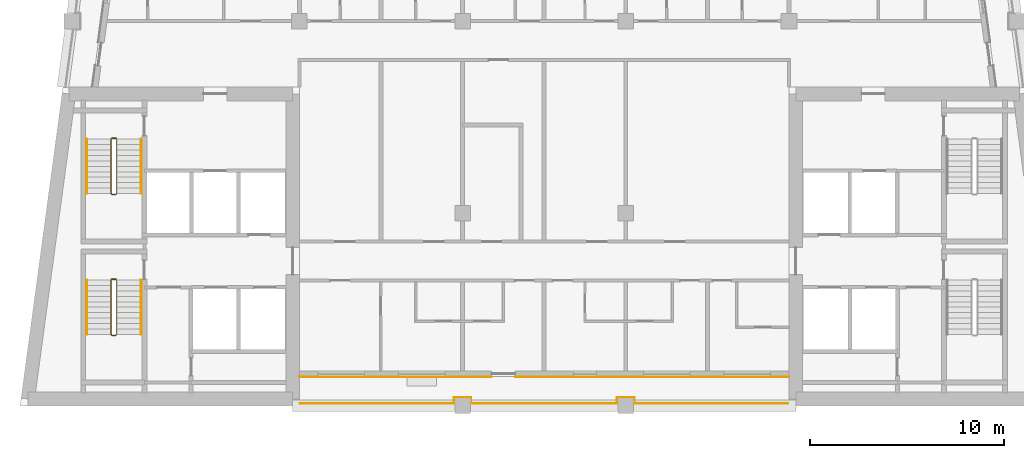
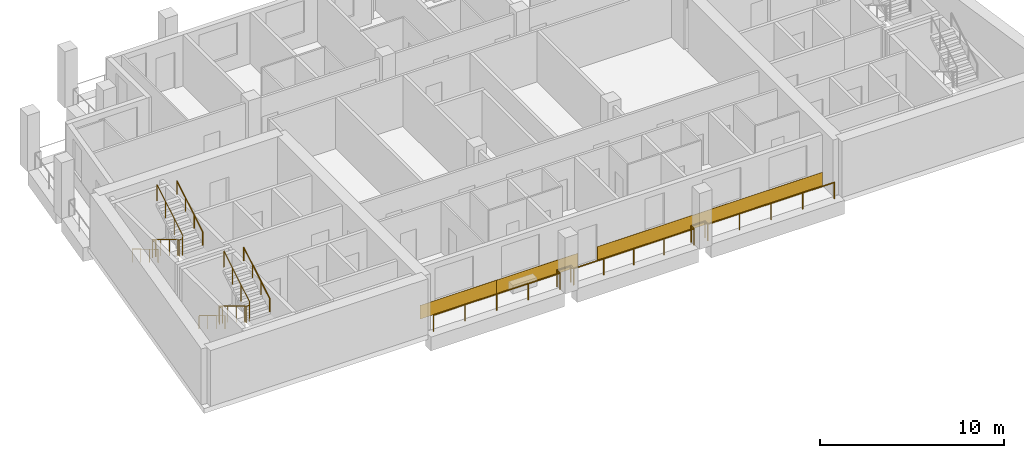
# One storey, part 7 of 10: 9 railings, 3 coverings.
"""IFC4 building model written with IfcOpenShell, lengths in metres."""

from ifc_helpers import new_model, si_unit, direction, frame, origin, origin_2d, place, context, subcontext, project, spatial, rectangle, circle, extrude, material, layer, layer_set, type_object, element, save


model = new_model("IFC4")

# Units and contexts
model_context = context("Model", 3, precision=1e-05, world=origin(), true_north=direction((0.0, 1.0)))
body_context = subcontext(model_context, "Body", "Model", "MODEL_VIEW")
ifc_project = project(units=[si_unit("LENGTHUNIT", "METRE"), si_unit("AREAUNIT", "SQUARE_METRE"), si_unit("VOLUMEUNIT", "CUBIC_METRE"), si_unit("PLANEANGLEUNIT", "RADIAN"), si_unit("MASSUNIT", "GRAM", prefix="KILO")], contexts=[model_context])

# Site, building, storey
site_placement = place(None, origin())
site = spatial("IfcSite", under=ifc_project, at=site_placement, CompositionType="ELEMENT")
building_placement = place(site_placement, origin())
building = spatial("IfcBuilding", under=site, at=building_placement, Name="Candeia Pilgrim Tower and Theatre", CompositionType="ELEMENT")
storey_placement = place(building_placement, frame((0.0, 0.0, 292.300048828125)))
storey = spatial("IfcBuildingStorey", under=building, at=storey_placement, Name="L71", CompositionType="ELEMENT", Elevation=292.300048828125)

# Railing
ifc_material_1 = material(Name="Stainless steel balustrade", Category="steel")
railing_type_1 = type_object("IfcRailingType", Name="G1 loggia guard 1100", PredefinedType="GUARDRAIL", material=ifc_material_1)
railing_1_placement = place(storey_placement, frame((125.949951171875, 116.1201171875, 0.0)))
element("IfcRailing", 1, at=railing_1_placement, inside=storey, type_object=railing_type_1, Name="Guard L71.3", PredefinedType="GUARDRAIL", context=body_context, shape_type="SweptSolid", body=[
    extrude(circle(Radius=0.02392578125, at=origin_2d()), frame((0.0, 0.0, 1.076171875), z_axis=(-1.0, 0.0, 0.0), x_axis=(0.0, -1.0, 0.0)), (0.0, 0.0, 1.0), 7.919921875),
    extrude(circle(Radius=0.02392578125, at=origin_2d()), frame((-7.919921875, 0.0, 1.076171875), z_axis=(0.0, 1.0, 0.0), x_axis=(-1.0, 0.0, 0.0)), (0.0, 0.0, 1.0), 0.309814453125),
    extrude(circle(Radius=0.02392578125, at=origin_2d()), frame((-7.919921875, 0.309814453125, 1.076171875), z_axis=(-1.0, 0.0, 0.0), x_axis=(0.0, -1.0, 0.0)), (0.0, 0.0, 1.0), 0.860107421875),
    extrude(circle(Radius=0.02392578125, at=origin_2d()), frame((-8.780029296875, 0.309814453125, 1.076171875), z_axis=(0.0, -1.0, 0.0), x_axis=(1.0, 0.0, 0.0)), (0.0, 0.0, 1.0), 0.309814453125),
    extrude(circle(Radius=0.02392578125, at=origin_2d()), frame((-8.780029296875, 0.0, 1.076171875), z_axis=(-1.0, 0.0, 0.0), x_axis=(0.0, -1.0, 0.0)), (0.0, 0.0, 1.0), 7.5400390625),
    extrude(circle(Radius=0.02392578125, at=origin_2d()), frame((-16.320068359375, 0.0, 1.076171875), z_axis=(0.0, 1.0, 0.0), x_axis=(-1.0, 0.0, 0.0)), (0.0, 0.0, 1.0), 0.309814453125),
    extrude(circle(Radius=0.02392578125, at=origin_2d()), frame((-16.320068359375, 0.309814453125, 1.076171875), z_axis=(-1.0, 0.0, 0.0), x_axis=(0.0, -1.0, 0.0)), (0.0, 0.0, 1.0), 0.85986328125),
    extrude(circle(Radius=0.02392578125, at=origin_2d()), frame((-17.179931640625, 0.309814453125, 1.076171875), z_axis=(0.0, -1.0, 0.0), x_axis=(1.0, 0.0, 0.0)), (0.0, 0.0, 1.0), 0.309814453125),
    extrude(circle(Radius=0.02392578125, at=origin_2d()), frame((-17.179931640625, 0.0, 1.076171875), z_axis=(-1.0, 0.0, 0.0), x_axis=(0.0, -1.0, 0.0)), (0.0, 0.0, 1.0), 7.919921875),
    extrude(circle(Radius=0.02099609375, at=origin_2d()), origin(), (0.0, 0.0, 1.0), 1.052001953125),
    extrude(circle(Radius=0.02099609375, at=origin_2d()), frame((-1.97998046875, 0.0, 0.0)), (0.0, 0.0, 1.0), 1.052001953125),
    extrude(circle(Radius=0.02099609375, at=origin_2d()), frame((-3.9599609375, 0.0, 0.0)), (0.0, 0.0, 1.0), 1.052001953125),
    extrude(circle(Radius=0.02099609375, at=origin_2d()), frame((-5.93994140625, 0.0, 0.0)), (0.0, 0.0, 1.0), 1.052001953125),
    extrude(circle(Radius=0.02099609375, at=origin_2d()), frame((-7.919921875, 0.0, 0.0)), (0.0, 0.0, 1.0), 1.052001953125),
    extrude(circle(Radius=0.02099609375, at=origin_2d()), frame((-7.919921875, 0.309814453125, 0.0)), (0.0, 0.0, 1.0), 1.052001953125),
    extrude(circle(Radius=0.02099609375, at=origin_2d()), frame((-8.780029296875, 0.309814453125, 0.0)), (0.0, 0.0, 1.0), 1.052001953125),
    extrude(circle(Radius=0.02099609375, at=origin_2d()), frame((-8.780029296875, 0.0, 0.0)), (0.0, 0.0, 1.0), 1.052001953125),
    extrude(circle(Radius=0.02099609375, at=origin_2d()), frame((-10.6650390625, 0.0, 0.0)), (0.0, 0.0, 1.0), 1.052001953125),
    extrude(circle(Radius=0.02099609375, at=origin_2d()), frame((-12.550048828125, 0.0, 0.0)), (0.0, 0.0, 1.0), 1.052001953125),
    extrude(circle(Radius=0.02099609375, at=origin_2d()), frame((-14.43505859375, 0.0, 0.0)), (0.0, 0.0, 1.0), 1.052001953125),
    extrude(circle(Radius=0.02099609375, at=origin_2d()), frame((-16.320068359375, 0.0, 0.0)), (0.0, 0.0, 1.0), 1.052001953125),
    extrude(circle(Radius=0.02099609375, at=origin_2d()), frame((-16.320068359375, 0.309814453125, 0.0)), (0.0, 0.0, 1.0), 1.052001953125),
    extrude(circle(Radius=0.02099609375, at=origin_2d()), frame((-17.179931640625, 0.309814453125, 0.0)), (0.0, 0.0, 1.0), 1.052001953125),
    extrude(circle(Radius=0.02099609375, at=origin_2d()), frame((-17.179931640625, 0.0, 0.0)), (0.0, 0.0, 1.0), 1.052001953125),
    extrude(circle(Radius=0.02099609375, at=origin_2d()), frame((-19.159912109375, 0.0, 0.0)), (0.0, 0.0, 1.0), 1.052001953125),
    extrude(circle(Radius=0.02099609375, at=origin_2d()), frame((-21.139892578125, 0.0, 0.0)), (0.0, 0.0, 1.0), 1.052001953125),
    extrude(circle(Radius=0.02099609375, at=origin_2d()), frame((-23.119873046875, 0.0, 0.0)), (0.0, 0.0, 1.0), 1.052001953125),
    extrude(circle(Radius=0.02099609375, at=origin_2d()), frame((-25.099853515625, 0.0, 0.0)), (0.0, 0.0, 1.0), 1.052001953125),
])

# Coverings
ifc_material_2 = material(Name="Glazed ceramic tile bottle green")
ifc_layer_1 = layer(ifc_material_2, 0.02001953125)
ifc_layer_set_1 = layer_set([ifc_layer_1], Name="Glazed ceramic tile bottle green")
covering_type_1 = type_object("IfcCoveringType", Name="Glazed ceramic tile bottle green", PredefinedType="CLADDING", material=ifc_layer_set_1)
covering_1_placement = place(storey_placement, frame((103.199951171875, 117.489990234375, 0.0), z_axis=(0.0, 0.0, 1.0), x_axis=(1.0, 0.0, 0.0)))
element("IfcCovering", 2, at=covering_1_placement, inside=storey, type_object=covering_type_1, Name="Tile cladding bottle green L71", PredefinedType="CLADDING", context=body_context, shape_type="SweptSolid", body=[
    extrude(rectangle(XDim=4.800048828125, YDim=0.02001953125, at=origin_2d()), origin(), (0.0, 0.0, 1.0), 0.89990234375),
])
ifc_material_3 = material(Name="Glazed ceramic tile rust")
ifc_layer_2 = layer(ifc_material_3, 0.02001953125)
ifc_layer_set_2 = layer_set([ifc_layer_2], Name="Glazed ceramic tile rust")
covering_type_2 = type_object("IfcCoveringType", Name="Glazed ceramic tile rust", PredefinedType="CLADDING", material=ifc_layer_set_2)
covering_2_placement = place(storey_placement, frame((108.14990234375, 117.489990234375, 0.0), z_axis=(0.0, 0.0, 1.0), x_axis=(1.0, 0.0, 0.0)))
element("IfcCovering", 3, at=covering_2_placement, inside=storey, type_object=covering_type_2, Name="Tile cladding rust L71", PredefinedType="CLADDING", context=body_context, shape_type="SweptSolid", body=[
    extrude(rectangle(XDim=5.10009765625, YDim=0.02001953125, at=origin_2d()), origin(), (0.0, 0.0, 1.0), 0.89990234375),
])
covering_3_placement = place(storey_placement, frame((118.949951171875, 117.489990234375, 0.0), z_axis=(0.0, 0.0, 1.0), x_axis=(1.0, 0.0, 0.0)))
element("IfcCovering", 4, at=covering_3_placement, inside=storey, type_object=covering_type_2, Name="Tile cladding rust L71", PredefinedType="CLADDING", context=body_context, shape_type="SweptSolid", body=[
    extrude(rectangle(XDim=14.10009765625, YDim=0.02001953125, at=origin_2d()), origin(), (0.0, 0.0, 1.0), 0.89990234375),
])

# Railings
railing_type_2 = type_object("IfcRailingType", Name="RL-GUARD-1100", PredefinedType="GUARDRAIL", material=ifc_material_1)
railing_2_placement = place(storey_placement, frame((91.10205078125, 122.47509765625, 0.168212890625)))
element("IfcRailing", 5, at=railing_2_placement, inside=storey, type_object=railing_type_2, Name="L71 ST1 stair guard 1", PredefinedType="GUARDRAIL", context=body_context, shape_type="SweptSolid", body=[
    extrude(circle(Radius=0.02392578125, at=origin_2d()), frame((0.0, 0.0, 1.076171875), z_axis=(0.0, -0.857275202839, 0.514858452973), x_axis=(1.0, 0.0, 0.0)), (0.0, 0.0, 1.0), 3.26611328125),
    extrude(circle(Radius=0.02392578125, at=origin_2d()), frame((0.0, -2.800048828125, 2.7578125), z_axis=(0.707106781187, -0.707106781187, 0.0), x_axis=(0.707106781187, 0.707106781187, 0.0)), (0.0, 0.0, 1.0), 0.07080078125),
    extrude(circle(Radius=0.02392578125, at=origin_2d()), frame((0.050048828125, -2.85009765625, 2.7578125), z_axis=(1.0, 0.0, 0.0), x_axis=(0.0, 1.0, 0.0)), (0.0, 0.0, 1.0), 0.199951171875),
    extrude(circle(Radius=0.02392578125, at=origin_2d()), frame((0.25, -2.85009765625, 2.7578125), z_axis=(0.274243871929, 0.274243871929, 0.92172696468), x_axis=(-0.707106781187, 0.707106781187, 0.0)), (0.0, 0.0, 1.0), 0.1826171875),
    extrude(circle(Radius=0.02392578125, at=origin_2d()), frame((0.300048828125, -2.800048828125, 2.92578125), z_axis=(0.0, 0.857242210791, 0.514913383045), x_axis=(-1.0, 0.0, 0.0)), (0.0, 0.0, 1.0), 3.266357421875),
    extrude(circle(Radius=0.02099609375, at=origin_2d()), origin(), (0.0, 0.0, 1.0), 1.052001953125),
    extrude(circle(Radius=0.02099609375, at=origin_2d()), frame((0.0, -0.933349609375, 0.560546875)), (0.0, 0.0, 1.0), 1.052001953125),
    extrude(circle(Radius=0.02099609375, at=origin_2d()), frame((0.0, -1.86669921875, 1.12109375)), (0.0, 0.0, 1.0), 1.052001953125),
    extrude(circle(Radius=0.02099609375, at=origin_2d()), frame((0.0, -2.800048828125, 1.681640625)), (0.0, 0.0, 1.0), 1.052001953125),
    extrude(circle(Radius=0.02099609375, at=origin_2d()), frame((0.050048828125, -2.85009765625, 1.681640625)), (0.0, 0.0, 1.0), 1.052001953125),
    extrude(circle(Radius=0.02099609375, at=origin_2d()), frame((0.25, -2.85009765625, 1.681640625)), (0.0, 0.0, 1.0), 1.052001953125),
    extrude(circle(Radius=0.02099609375, at=origin_2d()), frame((0.300048828125, -2.800048828125, 1.849853515625)), (0.0, 0.0, 1.0), 1.052001953125),
    extrude(circle(Radius=0.02099609375, at=origin_2d()), frame((0.300048828125, -1.86669921875, 2.410400390625)), (0.0, 0.0, 1.0), 1.052001953125),
    extrude(circle(Radius=0.02099609375, at=origin_2d()), frame((0.300048828125, -0.933349609375, 2.97119140625)), (0.0, 0.0, 1.0), 1.052001953125),
    extrude(circle(Radius=0.02099609375, at=origin_2d()), frame((0.300048828125, 0.0, 3.53173828125)), (0.0, 0.0, 1.0), 1.052001953125),
])
railing_3_placement = place(storey_placement, frame((91.152099609375, 122.52490234375, 0.0)))
element("IfcRailing", 6, at=railing_3_placement, inside=storey, type_object=railing_type_2, Name="L71 ST1 stair guard 2", PredefinedType="GUARDRAIL", context=body_context, shape_type="SweptSolid", body=[
    extrude(circle(Radius=0.02392578125, at=origin_2d()), frame((0.0, 0.0, 1.076171875), z_axis=(1.0, 0.0, 0.0), x_axis=(0.0, 1.0, 0.0)), (0.0, 0.0, 1.0), 0.199951171875),
    extrude(circle(Radius=0.02099609375, at=origin_2d()), origin(), (0.0, 0.0, 1.0), 1.052001953125),
    extrude(circle(Radius=0.02099609375, at=origin_2d()), frame((0.199951171875, 0.0, 0.0)), (0.0, 0.0, 1.0), 1.052001953125),
])
railing_4_placement = place(storey_placement, frame((91.10205078125, 129.72509765625, 0.168212890625)))
element("IfcRailing", 7, at=railing_4_placement, inside=storey, type_object=railing_type_2, Name="L71 ST2 stair guard 1", PredefinedType="GUARDRAIL", context=body_context, shape_type="SweptSolid", body=[
    extrude(circle(Radius=0.02392578125, at=origin_2d()), frame((0.0, 0.0, 1.076171875), z_axis=(0.0, -0.857275202839, 0.514858452973), x_axis=(1.0, 0.0, 0.0)), (0.0, 0.0, 1.0), 3.26611328125),
    extrude(circle(Radius=0.02392578125, at=origin_2d()), frame((0.0, -2.800048828125, 2.7578125), z_axis=(0.707106781187, -0.707106781187, 0.0), x_axis=(0.707106781187, 0.707106781187, 0.0)), (0.0, 0.0, 1.0), 0.07080078125),
    extrude(circle(Radius=0.02392578125, at=origin_2d()), frame((0.050048828125, -2.85009765625, 2.7578125), z_axis=(1.0, 0.0, 0.0), x_axis=(0.0, 1.0, 0.0)), (0.0, 0.0, 1.0), 0.199951171875),
    extrude(circle(Radius=0.02392578125, at=origin_2d()), frame((0.25, -2.85009765625, 2.7578125), z_axis=(0.274243871929, 0.274243871929, 0.92172696468), x_axis=(-0.707106781187, 0.707106781187, 0.0)), (0.0, 0.0, 1.0), 0.1826171875),
    extrude(circle(Radius=0.02392578125, at=origin_2d()), frame((0.300048828125, -2.800048828125, 2.92578125), z_axis=(0.0, 0.857242210791, 0.514913383045), x_axis=(-1.0, 0.0, 0.0)), (0.0, 0.0, 1.0), 3.266357421875),
    extrude(circle(Radius=0.02099609375, at=origin_2d()), origin(), (0.0, 0.0, 1.0), 1.052001953125),
    extrude(circle(Radius=0.02099609375, at=origin_2d()), frame((0.0, -0.933349609375, 0.560546875)), (0.0, 0.0, 1.0), 1.052001953125),
    extrude(circle(Radius=0.02099609375, at=origin_2d()), frame((0.0, -1.86669921875, 1.12109375)), (0.0, 0.0, 1.0), 1.052001953125),
    extrude(circle(Radius=0.02099609375, at=origin_2d()), frame((0.0, -2.800048828125, 1.681640625)), (0.0, 0.0, 1.0), 1.052001953125),
    extrude(circle(Radius=0.02099609375, at=origin_2d()), frame((0.050048828125, -2.85009765625, 1.681640625)), (0.0, 0.0, 1.0), 1.052001953125),
    extrude(circle(Radius=0.02099609375, at=origin_2d()), frame((0.25, -2.85009765625, 1.681640625)), (0.0, 0.0, 1.0), 1.052001953125),
    extrude(circle(Radius=0.02099609375, at=origin_2d()), frame((0.300048828125, -2.800048828125, 1.849853515625)), (0.0, 0.0, 1.0), 1.052001953125),
    extrude(circle(Radius=0.02099609375, at=origin_2d()), frame((0.300048828125, -1.86669921875, 2.410400390625)), (0.0, 0.0, 1.0), 1.052001953125),
    extrude(circle(Radius=0.02099609375, at=origin_2d()), frame((0.300048828125, -0.933349609375, 2.97119140625)), (0.0, 0.0, 1.0), 1.052001953125),
    extrude(circle(Radius=0.02099609375, at=origin_2d()), frame((0.300048828125, 0.0, 3.53173828125)), (0.0, 0.0, 1.0), 1.052001953125),
])
railing_5_placement = place(storey_placement, frame((91.152099609375, 129.77490234375, 0.0)))
element("IfcRailing", 8, at=railing_5_placement, inside=storey, type_object=railing_type_2, Name="L71 ST2 stair guard 2", PredefinedType="GUARDRAIL", context=body_context, shape_type="SweptSolid", body=[
    extrude(circle(Radius=0.02392578125, at=origin_2d()), frame((0.0, 0.0, 1.076171875), z_axis=(1.0, 0.0, 0.0), x_axis=(0.0, 1.0, 0.0)), (0.0, 0.0, 1.0), 0.199951171875),
    extrude(circle(Radius=0.02099609375, at=origin_2d()), origin(), (0.0, 0.0, 1.0), 1.052001953125),
    extrude(circle(Radius=0.02099609375, at=origin_2d()), frame((0.199951171875, 0.0, 0.0)), (0.0, 0.0, 1.0), 1.052001953125),
])
ifc_material_4 = material(Name="Stainless steel handrail", Category="steel")
railing_type_3 = type_object("IfcRailingType", Name="RL-HANDRAIL-900", PredefinedType="HANDRAIL", material=ifc_material_4)
railing_6_placement = place(storey_placement, frame((89.85205078125, 122.47509765625, 0.168212890625)))
element("IfcRailing", 9, at=railing_6_placement, inside=storey, type_object=railing_type_3, Name="L71 ST1 stair handrail 1", PredefinedType="HANDRAIL", context=body_context, shape_type="SweptSolid", body=[
    extrude(circle(Radius=0.02392578125, at=origin_2d()), frame((0.0, 0.0, 0.8759765625), z_axis=(0.0, -0.857275202839, 0.514858452973), x_axis=(1.0, 0.0, 0.0)), (0.0, 0.0, 1.0), 3.26611328125),
    extrude(circle(Radius=0.02099609375, at=origin_2d()), origin(), (0.0, 0.0, 1.0), 0.851806640625),
    extrude(circle(Radius=0.02099609375, at=origin_2d()), frame((0.0, -0.933349609375, 0.560546875)), (0.0, 0.0, 1.0), 0.851806640625),
    extrude(circle(Radius=0.02099609375, at=origin_2d()), frame((0.0, -1.86669921875, 1.12109375)), (0.0, 0.0, 1.0), 0.851806640625),
    extrude(circle(Radius=0.02099609375, at=origin_2d()), frame((0.0, -2.800048828125, 1.681640625)), (0.0, 0.0, 1.0), 0.851806640625),
])
railing_7_placement = place(storey_placement, frame((92.652099609375, 119.675048828125, 2.01806640625)))
element("IfcRailing", 10, at=railing_7_placement, inside=storey, type_object=railing_type_3, Name="L71 ST1 stair handrail 2", PredefinedType="HANDRAIL", context=body_context, shape_type="SweptSolid", body=[
    extrude(circle(Radius=0.02392578125, at=origin_2d()), frame((0.0, 0.0, 0.8759765625), z_axis=(0.0, 0.857242210791, 0.514913383045), x_axis=(-1.0, 0.0, 0.0)), (0.0, 0.0, 1.0), 3.266357421875),
    extrude(circle(Radius=0.02099609375, at=origin_2d()), origin(), (0.0, 0.0, 1.0), 0.851806640625),
    extrude(circle(Radius=0.02099609375, at=origin_2d()), frame((0.0, 0.933349609375, 0.560546875)), (0.0, 0.0, 1.0), 0.851806640625),
    extrude(circle(Radius=0.02099609375, at=origin_2d()), frame((0.0, 1.86669921875, 1.121337890625)), (0.0, 0.0, 1.0), 0.851806640625),
    extrude(circle(Radius=0.02099609375, at=origin_2d()), frame((0.0, 2.800048828125, 1.681884765625)), (0.0, 0.0, 1.0), 0.851806640625),
])
railing_8_placement = place(storey_placement, frame((89.85205078125, 129.72509765625, 0.168212890625)))
element("IfcRailing", 11, at=railing_8_placement, inside=storey, type_object=railing_type_3, Name="L71 ST2 stair handrail 1", PredefinedType="HANDRAIL", context=body_context, shape_type="SweptSolid", body=[
    extrude(circle(Radius=0.02392578125, at=origin_2d()), frame((0.0, 0.0, 0.8759765625), z_axis=(0.0, -0.857275202839, 0.514858452973), x_axis=(1.0, 0.0, 0.0)), (0.0, 0.0, 1.0), 3.26611328125),
    extrude(circle(Radius=0.02099609375, at=origin_2d()), origin(), (0.0, 0.0, 1.0), 0.851806640625),
    extrude(circle(Radius=0.02099609375, at=origin_2d()), frame((0.0, -0.933349609375, 0.560546875)), (0.0, 0.0, 1.0), 0.851806640625),
    extrude(circle(Radius=0.02099609375, at=origin_2d()), frame((0.0, -1.86669921875, 1.12109375)), (0.0, 0.0, 1.0), 0.851806640625),
    extrude(circle(Radius=0.02099609375, at=origin_2d()), frame((0.0, -2.800048828125, 1.681640625)), (0.0, 0.0, 1.0), 0.851806640625),
])
railing_9_placement = place(storey_placement, frame((92.652099609375, 126.925048828125, 2.01806640625)))
element("IfcRailing", 12, at=railing_9_placement, inside=storey, type_object=railing_type_3, Name="L71 ST2 stair handrail 2", PredefinedType="HANDRAIL", context=body_context, shape_type="SweptSolid", body=[
    extrude(circle(Radius=0.02392578125, at=origin_2d()), frame((0.0, 0.0, 0.8759765625), z_axis=(0.0, 0.857242210791, 0.514913383045), x_axis=(-1.0, 0.0, 0.0)), (0.0, 0.0, 1.0), 3.266357421875),
    extrude(circle(Radius=0.02099609375, at=origin_2d()), origin(), (0.0, 0.0, 1.0), 0.851806640625),
    extrude(circle(Radius=0.02099609375, at=origin_2d()), frame((0.0, 0.933349609375, 0.560546875)), (0.0, 0.0, 1.0), 0.851806640625),
    extrude(circle(Radius=0.02099609375, at=origin_2d()), frame((0.0, 1.86669921875, 1.121337890625)), (0.0, 0.0, 1.0), 0.851806640625),
    extrude(circle(Radius=0.02099609375, at=origin_2d()), frame((0.0, 2.800048828125, 1.681884765625)), (0.0, 0.0, 1.0), 0.851806640625),
])

save(model, "model.ifc")
